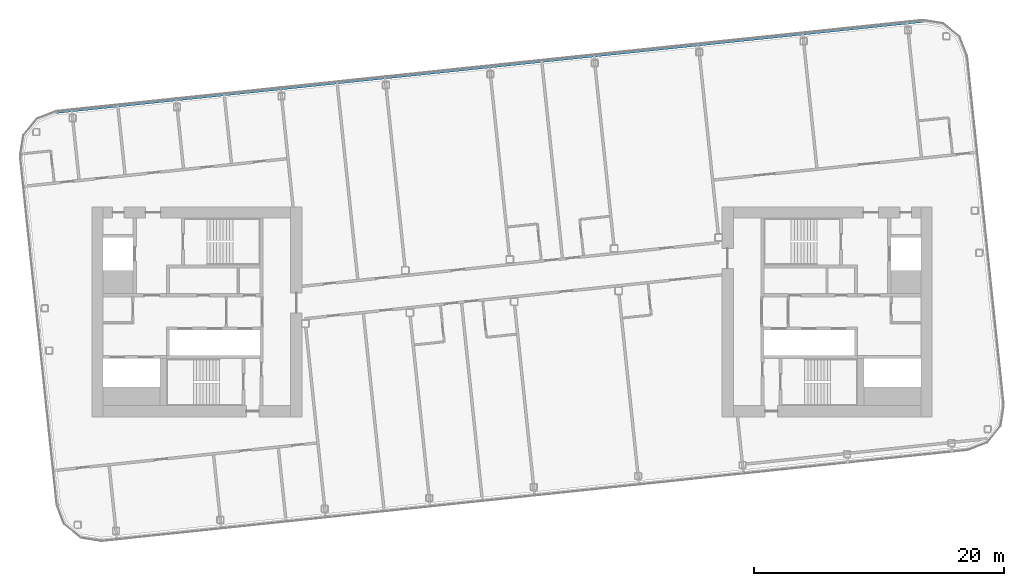
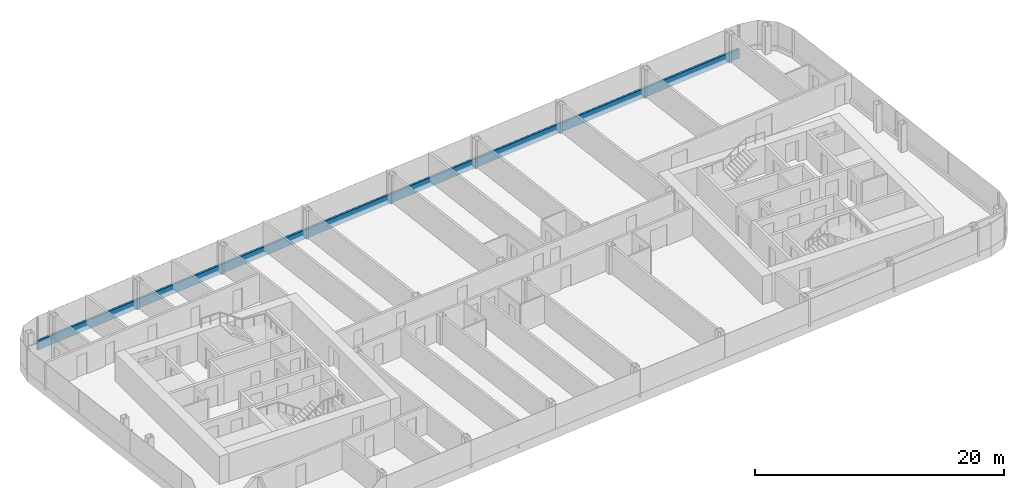
# One storey, part 10 of 27: 1 member, 1 element without a shape of its own.
"""IFC4 building model written with IfcOpenShell, lengths in metres."""

from ifc_helpers import new_model, si_unit, direction, frame, origin, origin_2d, place, context, subcontext, project, spatial, rectangle, extrude, material, layer, layer_set, material_profile, profile_set, type_object, element, aggregate, save


model = new_model("IFC4")

# Units and contexts
model_context = context("Model", 3, precision=1e-05, world=origin(), true_north=direction((0.0, 1.0)))
body_context = subcontext(model_context, "Body", "Model", "MODEL_VIEW")
ifc_project = project(units=[si_unit("LENGTHUNIT", "METRE"), si_unit("AREAUNIT", "SQUARE_METRE"), si_unit("VOLUMEUNIT", "CUBIC_METRE"), si_unit("PLANEANGLEUNIT", "RADIAN"), si_unit("MASSUNIT", "GRAM", prefix="KILO")], contexts=[model_context])

# Site, building, storey
site_placement = place(None, origin())
site = spatial("IfcSite", under=ifc_project, at=site_placement, CompositionType="ELEMENT")
building_placement = place(site_placement, origin())
building = spatial("IfcBuilding", under=site, at=building_placement, Name="Hakoniwa Tower and Hamabe Station Hall", CompositionType="ELEMENT")
storey_placement = place(building_placement, frame((0.0, 0.0, 242.199951171875)))
storey = spatial("IfcBuildingStorey", under=building, at=storey_placement, Name="L68", CompositionType="ELEMENT", Elevation=242.199951171875)

# Curtain wall, member
ifc_material_1 = material(Name="Dark low-e laminated glass", Category="glass")
ifc_layer = layer(ifc_material_1, 0.199951171875)
ifc_layer_set = layer_set([ifc_layer], Name="CW-1 UNITISED GUEST")
curtain_wall_type = type_object("IfcCurtainWallType", Name="CW-1 UNITISED GUEST", PredefinedType="NOTDEFINED", material=ifc_layer_set)
curtain_wall_placement = place(storey_placement, origin())
curtain_wall = element("IfcCurtainWall", 1, at=curtain_wall_placement, inside=storey, type_object=curtain_wall_type, Name="CW-1 curtain wall", PredefinedType="NOTDEFINED")
ifc_material_2 = material(Name="Aluminium 6063-T5 black anodised", Category="aluminium")
ifc_material_profile = material_profile(ifc_material_2, rectangle(XDim=0.199951171875, YDim=0.89990234375, at=origin_2d()), Name="CW SLAB-EDGE BAND 900X200")
ifc_profile_set = profile_set([ifc_material_profile], Name="Aluminium 6063-T5 black anodised")
member_type = type_object("IfcMemberType", Name="CW SLAB-EDGE BAND 900X200", PredefinedType="USERDEFINED", material=ifc_profile_set)
member_placement = place(storey_placement, frame((32.850830078125, 23.24755859375, -0.099853515625), z_axis=(-0.994521894037, -0.10452847593, 0.0), x_axis=(0.10452847593, -0.994521894037, 0.0)))
member = element("IfcMember", 2, at=member_placement, type_object=member_type, Name="CW-1 transom", ObjectType="TRANSOM", PredefinedType="USERDEFINED", context=body_context, shape_type="SweptSolid", body=[
    extrude(rectangle(XDim=0.199951171875, YDim=0.89990234375, at=origin_2d()), origin(), (0.0, 0.0, 1.0), 69.678955078125),
])
aggregate(curtain_wall, [member])

save(model, "model.ifc")
